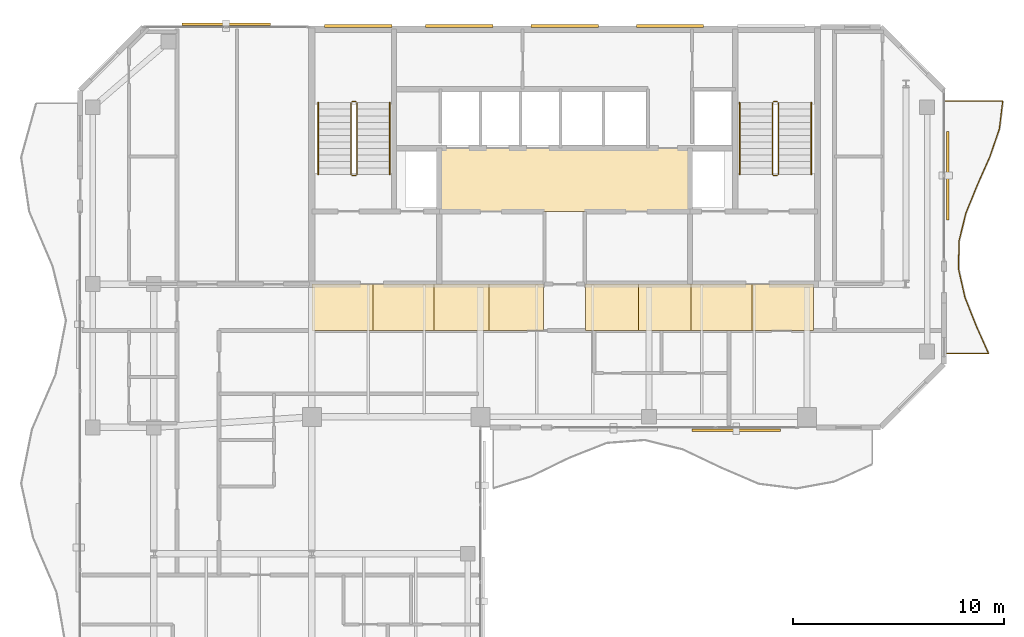
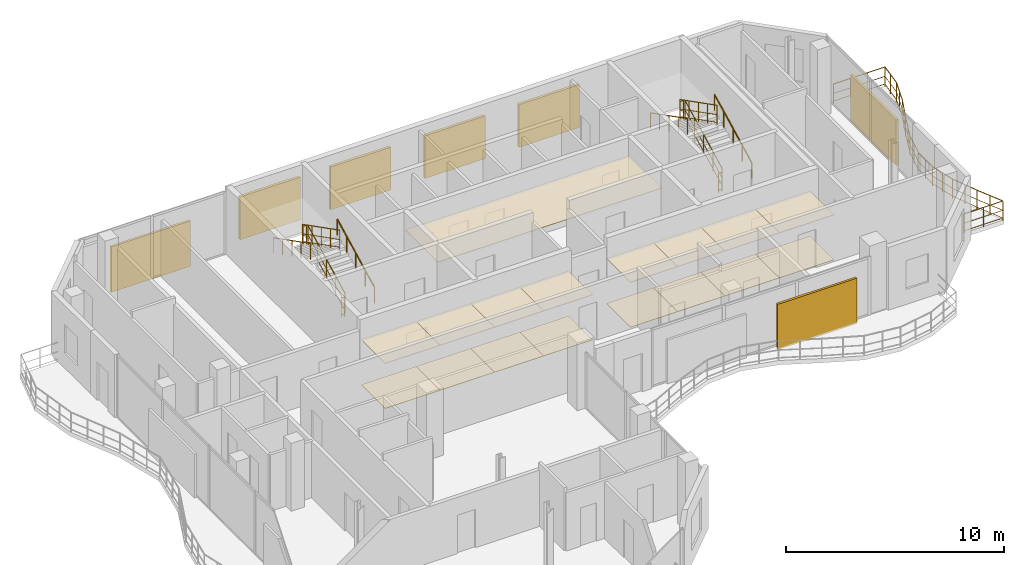
# One storey, part 22 of 23: 17 coverings, 13 railings, 7 shading devices.
"""IFC4 building model written with IfcOpenShell, lengths in metres."""

from ifc_helpers import new_model, si_unit, direction, frame, origin, origin_2d, place, context, subcontext, project, spatial, polyline, rectangle, circle, outline, extrude, material, layer, layer_set, type_object, element, save


model = new_model("IFC4")

# Units and contexts
model_context = context("Model", 3, precision=1e-05, world=origin(), true_north=direction((0.0, 1.0)))
body_context = subcontext(model_context, "Body", "Model", "MODEL_VIEW")
ifc_project = project(units=[si_unit("LENGTHUNIT", "METRE"), si_unit("AREAUNIT", "SQUARE_METRE"), si_unit("VOLUMEUNIT", "CUBIC_METRE"), si_unit("PLANEANGLEUNIT", "RADIAN"), si_unit("MASSUNIT", "GRAM", prefix="KILO")], contexts=[model_context])

# Site, building, storey
site_placement = place(None, origin())
site = spatial("IfcSite", under=ifc_project, at=site_placement, CompositionType="ELEMENT")
building_placement = place(site_placement, origin())
building = spatial("IfcBuilding", under=site, at=building_placement, Name="Catumbela Crestline Tower", CompositionType="ELEMENT")
storey_placement = place(building_placement, frame((0.0, 0.0, 248.8)))
storey = spatial("IfcBuildingStorey", under=building, at=storey_placement, Name="L64", CompositionType="ELEMENT", Elevation=248.8)

# Coverings
ifc_material_1 = material(Name="Mineral-fibre acoustic ceiling")
ifc_layer_1 = layer(ifc_material_1, 0.03, Name="Mineral-fibre acoustic ceiling")
ifc_layer_set_1 = layer_set([ifc_layer_1], Name="Mineral-fibre acoustic ceiling")
covering_type_1 = type_object("IfcCoveringType", Name="CC-AC", PredefinedType="CEILING", material=ifc_layer_set_1)
covering_1_placement = place(storey_placement, frame((0.0, 0.0, 2.65)))
element("IfcCovering", 1, at=covering_1_placement, inside=storey, type_object=covering_type_1, Name="L64 Lift Lobby Acoustic Ceiling", PredefinedType="CEILING", context=body_context, shape_type="SweptSolid", body=[
    extrude(outline(polyline([(22.05, 34.25), (33.95, 34.25), (33.95, 37.25), (22.05, 37.25), (22.05, 34.25)])), origin(), (0.0, 0.0, 1.0), 0.03),
])
covering_2_placement = place(storey_placement, frame((0.0, 0.0, 2.52)))
element("IfcCovering", 2, at=covering_2_placement, inside=storey, type_object=covering_type_1, Name="L64 Corridor Acoustic Ceiling Bay 1", PredefinedType="CEILING", context=body_context, shape_type="SweptSolid", body=[
    extrude(outline(polyline([(16.0, 28.6), (18.9, 28.6), (18.9, 30.8), (16.0, 30.8), (16.0, 28.6)])), origin(), (0.0, 0.0, 1.0), 0.03),
])
covering_3_placement = place(storey_placement, frame((0.0, 0.0, 2.52)))
element("IfcCovering", 3, at=covering_3_placement, inside=storey, type_object=covering_type_1, Name="L64 Corridor Acoustic Ceiling Bay 2", PredefinedType="CEILING", context=body_context, shape_type="SweptSolid", body=[
    extrude(outline(polyline([(18.9, 28.6), (21.8, 28.6), (21.8, 30.8), (18.9, 30.8), (18.9, 28.6)])), origin(), (0.0, 0.0, 1.0), 0.03),
])
covering_4_placement = place(storey_placement, frame((0.0, 0.0, 2.52)))
element("IfcCovering", 4, at=covering_4_placement, inside=storey, type_object=covering_type_1, Name="L64 Corridor Acoustic Ceiling Bay 3", PredefinedType="CEILING", context=body_context, shape_type="SweptSolid", body=[
    extrude(outline(polyline([(21.8, 28.6), (24.4, 28.6), (24.4, 30.8), (21.8, 30.8), (21.8, 28.6)])), origin(), (0.0, 0.0, 1.0), 0.03),
])
covering_5_placement = place(storey_placement, frame((0.0, 0.0, 2.52)))
element("IfcCovering", 5, at=covering_5_placement, inside=storey, type_object=covering_type_1, Name="L64 Corridor Acoustic Ceiling Bay 4", PredefinedType="CEILING", context=body_context, shape_type="SweptSolid", body=[
    extrude(outline(polyline([(24.4, 28.6), (27.0, 28.6), (27.0, 30.8), (24.4, 30.8), (24.4, 28.6)])), origin(), (0.0, 0.0, 1.0), 0.03),
])
covering_6_placement = place(storey_placement, frame((0.0, 0.0, 2.52)))
element("IfcCovering", 6, at=covering_6_placement, inside=storey, type_object=covering_type_1, Name="L64 Corridor Acoustic Ceiling Bay 5", PredefinedType="CEILING", context=body_context, shape_type="SweptSolid", body=[
    extrude(outline(polyline([(29.0, 28.6), (31.5, 28.6), (31.5, 30.8), (29.0, 30.8), (29.0, 28.6)])), origin(), (0.0, 0.0, 1.0), 0.03),
])
covering_7_placement = place(storey_placement, frame((0.0, 0.0, 2.52)))
element("IfcCovering", 7, at=covering_7_placement, inside=storey, type_object=covering_type_1, Name="L64 Corridor Acoustic Ceiling Bay 6", PredefinedType="CEILING", context=body_context, shape_type="SweptSolid", body=[
    extrude(outline(polyline([(31.5, 28.6), (34.0, 28.6), (34.0, 30.8), (31.5, 30.8), (31.5, 28.6)])), origin(), (0.0, 0.0, 1.0), 0.03),
])
covering_8_placement = place(storey_placement, frame((0.0, 0.0, 2.52)))
element("IfcCovering", 8, at=covering_8_placement, inside=storey, type_object=covering_type_1, Name="L64 Corridor Acoustic Ceiling Bay 7", PredefinedType="CEILING", context=body_context, shape_type="SweptSolid", body=[
    extrude(outline(polyline([(34.0, 28.6), (36.9, 28.6), (36.9, 30.8), (34.0, 30.8), (34.0, 28.6)])), origin(), (0.0, 0.0, 1.0), 0.03),
])
covering_9_placement = place(storey_placement, frame((0.0, 0.0, 2.52)))
element("IfcCovering", 9, at=covering_9_placement, inside=storey, type_object=covering_type_1, Name="L64 Corridor Acoustic Ceiling Bay 8", PredefinedType="CEILING", context=body_context, shape_type="SweptSolid", body=[
    extrude(outline(polyline([(36.9, 28.6), (39.8, 28.6), (39.8, 30.8), (36.9, 30.8), (36.9, 28.6)])), origin(), (0.0, 0.0, 1.0), 0.03),
])
ifc_material_2 = material(Name="Angolan grey-ochre granite", Category="masonry")
ifc_layer_2 = layer(ifc_material_2, 0.025, Name="Angolan grey-ochre granite")
ifc_layer_set_2 = layer_set([ifc_layer_2], Name="Angolan grey-ochre granite")
covering_type_2 = type_object("IfcCoveringType", Name="CF-GR", PredefinedType="FLOORING", material=ifc_layer_set_2)
covering_10_placement = place(storey_placement, origin())
element("IfcCovering", 10, at=covering_10_placement, inside=storey, type_object=covering_type_2, Name="L64 Corridor Granite Flooring Bay 1", PredefinedType="FLOORING", context=body_context, shape_type="SweptSolid", body=[
    extrude(outline(polyline([(16.0, 28.6), (18.9, 28.6), (18.9, 30.8), (16.0, 30.8), (16.0, 28.6)])), origin(), (0.0, 0.0, 1.0), 0.025),
])
covering_11_placement = place(storey_placement, origin())
element("IfcCovering", 11, at=covering_11_placement, inside=storey, type_object=covering_type_2, Name="L64 Corridor Granite Flooring Bay 2", PredefinedType="FLOORING", context=body_context, shape_type="SweptSolid", body=[
    extrude(outline(polyline([(18.9, 28.6), (21.8, 28.6), (21.8, 30.8), (18.9, 30.8), (18.9, 28.6)])), origin(), (0.0, 0.0, 1.0), 0.025),
])
covering_12_placement = place(storey_placement, origin())
element("IfcCovering", 12, at=covering_12_placement, inside=storey, type_object=covering_type_2, Name="L64 Corridor Granite Flooring Bay 3", PredefinedType="FLOORING", context=body_context, shape_type="SweptSolid", body=[
    extrude(outline(polyline([(21.8, 28.6), (24.4, 28.6), (24.4, 30.8), (21.8, 30.8), (21.8, 28.6)])), origin(), (0.0, 0.0, 1.0), 0.025),
])
covering_13_placement = place(storey_placement, origin())
element("IfcCovering", 13, at=covering_13_placement, inside=storey, type_object=covering_type_2, Name="L64 Corridor Granite Flooring Bay 4", PredefinedType="FLOORING", context=body_context, shape_type="SweptSolid", body=[
    extrude(outline(polyline([(24.4, 28.6), (27.0, 28.6), (27.0, 30.8), (24.4, 30.8), (24.4, 28.6)])), origin(), (0.0, 0.0, 1.0), 0.025),
])
covering_14_placement = place(storey_placement, origin())
element("IfcCovering", 14, at=covering_14_placement, inside=storey, type_object=covering_type_2, Name="L64 Corridor Granite Flooring Bay 5", PredefinedType="FLOORING", context=body_context, shape_type="SweptSolid", body=[
    extrude(outline(polyline([(29.0, 28.6), (31.5, 28.6), (31.5, 30.8), (29.0, 30.8), (29.0, 28.6)])), origin(), (0.0, 0.0, 1.0), 0.025),
])
covering_15_placement = place(storey_placement, origin())
element("IfcCovering", 15, at=covering_15_placement, inside=storey, type_object=covering_type_2, Name="L64 Corridor Granite Flooring Bay 6", PredefinedType="FLOORING", context=body_context, shape_type="SweptSolid", body=[
    extrude(outline(polyline([(31.5, 28.6), (34.0, 28.6), (34.0, 30.8), (31.5, 30.8), (31.5, 28.6)])), origin(), (0.0, 0.0, 1.0), 0.025),
])
covering_16_placement = place(storey_placement, origin())
element("IfcCovering", 16, at=covering_16_placement, inside=storey, type_object=covering_type_2, Name="L64 Corridor Granite Flooring Bay 7", PredefinedType="FLOORING", context=body_context, shape_type="SweptSolid", body=[
    extrude(outline(polyline([(34.0, 28.6), (36.9, 28.6), (36.9, 30.8), (34.0, 30.8), (34.0, 28.6)])), origin(), (0.0, 0.0, 1.0), 0.025),
])
covering_17_placement = place(storey_placement, origin())
element("IfcCovering", 17, at=covering_17_placement, inside=storey, type_object=covering_type_2, Name="L64 Corridor Granite Flooring Bay 8", PredefinedType="FLOORING", context=body_context, shape_type="SweptSolid", body=[
    extrude(outline(polyline([(36.9, 28.6), (39.8, 28.6), (39.8, 30.8), (36.9, 30.8), (36.9, 28.6)])), origin(), (0.0, 0.0, 1.0), 0.025),
])

# Railings
ifc_material_3 = material(Name="Stainless steel EN 1.4401", Category="steel")
railing_type_1 = type_object("IfcRailingType", Name="RB-1100", PredefinedType="BALUSTRADE", material=ifc_material_3)
railing_1_placement = place(storey_placement, frame((46.06, 27.5, 0.0)))
element("IfcRailing", 18, at=railing_1_placement, inside=storey, type_object=railing_type_1, Name="L64 Private Wave Balcony Balustrade 2", PredefinedType="BALUSTRADE", context=body_context, shape_type="SweptSolid", body=[
    extrude(circle(Radius=0.024, at=origin_2d()), frame((0.0, 0.0, 1.076), z_axis=(1.0, 0.0, 0.0), x_axis=(0.0, 1.0, 0.0)), (0.0, 0.0, 1.0), 2.0571),
    extrude(circle(Radius=0.0156, at=origin_2d()), frame((0.0, 0.0, 0.55), z_axis=(1.0, 0.0, 0.0), x_axis=(0.0, 1.0, 0.0)), (0.0, 0.0, 1.0), 2.0571),
    extrude(circle(Radius=0.0156, at=origin_2d()), frame((0.0, 0.0, 0.12), z_axis=(1.0, 0.0, 0.0), x_axis=(0.0, 1.0, 0.0)), (0.0, 0.0, 1.0), 2.0571),
    extrude(circle(Radius=0.024, at=origin_2d()), frame((2.0571, 0.0, 1.076), z_axis=(-0.406723258756, 0.913551416608, 0.0), x_axis=(-0.913551416608, -0.406723258756, 0.0)), (0.0, 0.0, 1.0), 1.4595),
    extrude(circle(Radius=0.0156, at=origin_2d()), frame((2.0571, 0.0, 0.55), z_axis=(-0.406723258756, 0.913551416608, 0.0), x_axis=(-0.913551416608, -0.406723258756, 0.0)), (0.0, 0.0, 1.0), 1.4595),
    extrude(circle(Radius=0.0156, at=origin_2d()), frame((2.0571, 0.0, 0.12), z_axis=(-0.406723258756, 0.913551416608, 0.0), x_axis=(-0.913551416608, -0.406723258756, 0.0)), (0.0, 0.0, 1.0), 1.4595),
    extrude(circle(Radius=0.024, at=origin_2d()), frame((1.4635, 1.3333, 1.076), z_axis=(-0.368045939081, 0.929807607372, 0.0), x_axis=(-0.929807607372, -0.368045939081, 0.0)), (0.0, 0.0, 1.0), 1.4341),
    extrude(circle(Radius=0.0156, at=origin_2d()), frame((1.4635, 1.3333, 0.55), z_axis=(-0.368045939081, 0.929807607372, 0.0), x_axis=(-0.929807607372, -0.368045939081, 0.0)), (0.0, 0.0, 1.0), 1.4341),
    extrude(circle(Radius=0.0156, at=origin_2d()), frame((1.4635, 1.3333, 0.12), z_axis=(-0.368045939081, 0.929807607372, 0.0), x_axis=(-0.929807607372, -0.368045939081, 0.0)), (0.0, 0.0, 1.0), 1.4341),
    extrude(circle(Radius=0.024, at=origin_2d()), frame((0.9357, 2.6667, 1.076), z_axis=(-0.220631331577, 0.975357275836, 0.0), x_axis=(-0.975357275836, -0.220631331577, 0.0)), (0.0, 0.0, 1.0), 1.367),
    extrude(circle(Radius=0.0156, at=origin_2d()), frame((0.9357, 2.6667, 0.55), z_axis=(-0.220631331577, 0.975357275836, 0.0), x_axis=(-0.975357275836, -0.220631331577, 0.0)), (0.0, 0.0, 1.0), 1.367),
    extrude(circle(Radius=0.0156, at=origin_2d()), frame((0.9357, 2.6667, 0.12), z_axis=(-0.220631331577, 0.975357275836, 0.0), x_axis=(-0.975357275836, -0.220631331577, 0.0)), (0.0, 0.0, 1.0), 1.367),
    extrude(circle(Radius=0.024, at=origin_2d()), frame((0.6341, 4.0, 1.076), z_axis=(0.01222439215, 0.999925279327, 0.0), x_axis=(-0.999925279327, 0.01222439215, 0.0)), (0.0, 0.0, 1.0), 1.3334),
    extrude(circle(Radius=0.0156, at=origin_2d()), frame((0.6341, 4.0, 0.55), z_axis=(0.01222439215, 0.999925279327, 0.0), x_axis=(-0.999925279327, 0.01222439215, 0.0)), (0.0, 0.0, 1.0), 1.3334),
    extrude(circle(Radius=0.0156, at=origin_2d()), frame((0.6341, 4.0, 0.12), z_axis=(0.01222439215, 0.999925279327, 0.0), x_axis=(-0.999925279327, 0.01222439215, 0.0)), (0.0, 0.0, 1.0), 1.3334),
    extrude(circle(Radius=0.024, at=origin_2d()), frame((0.6504, 5.3333, 1.076), z_axis=(0.239622079001, 0.970866241691, 0.0), x_axis=(-0.970866241691, 0.239622079001, 0.0)), (0.0, 0.0, 1.0), 1.3734),
    extrude(circle(Radius=0.0156, at=origin_2d()), frame((0.6504, 5.3333, 0.55), z_axis=(0.239622079001, 0.970866241691, 0.0), x_axis=(-0.970866241691, 0.239622079001, 0.0)), (0.0, 0.0, 1.0), 1.3734),
    extrude(circle(Radius=0.0156, at=origin_2d()), frame((0.6504, 5.3333, 0.12), z_axis=(0.239622079001, 0.970866241691, 0.0), x_axis=(-0.970866241691, 0.239622079001, 0.0)), (0.0, 0.0, 1.0), 1.3734),
    extrude(circle(Radius=0.024, at=origin_2d()), frame((0.9795, 6.6667, 1.076), z_axis=(0.376643531056, 0.926358273301, 0.0), x_axis=(-0.926358273301, 0.376643531056, 0.0)), (0.0, 0.0, 1.0), 1.4393),
    extrude(circle(Radius=0.0156, at=origin_2d()), frame((0.9795, 6.6667, 0.55), z_axis=(0.376643531056, 0.926358273301, 0.0), x_axis=(-0.926358273301, 0.376643531056, 0.0)), (0.0, 0.0, 1.0), 1.4393),
    extrude(circle(Radius=0.0156, at=origin_2d()), frame((0.9795, 6.6667, 0.12), z_axis=(0.376643531056, 0.926358273301, 0.0), x_axis=(-0.926358273301, 0.376643531056, 0.0)), (0.0, 0.0, 1.0), 1.4393),
    extrude(circle(Radius=0.024, at=origin_2d()), frame((1.5216, 8.0, 1.076), z_axis=(0.40477625573, 0.914415760361, 0.0), x_axis=(-0.914415760361, 0.40477625573, 0.0)), (0.0, 0.0, 1.0), 1.4581),
    extrude(circle(Radius=0.0156, at=origin_2d()), frame((1.5216, 8.0, 0.55), z_axis=(0.40477625573, 0.914415760361, 0.0), x_axis=(-0.914415760361, 0.40477625573, 0.0)), (0.0, 0.0, 1.0), 1.4581),
    extrude(circle(Radius=0.0156, at=origin_2d()), frame((1.5216, 8.0, 0.12), z_axis=(0.40477625573, 0.914415760361, 0.0), x_axis=(-0.914415760361, 0.40477625573, 0.0)), (0.0, 0.0, 1.0), 1.4581),
    extrude(circle(Radius=0.024, at=origin_2d()), frame((2.1118, 9.3333, 1.076), z_axis=(0.325487995559, 0.945546172721, 0.0), x_axis=(-0.945546172721, 0.325487995559, 0.0)), (0.0, 0.0, 1.0), 1.4102),
    extrude(circle(Radius=0.0156, at=origin_2d()), frame((2.1118, 9.3333, 0.55), z_axis=(0.325487995559, 0.945546172721, 0.0), x_axis=(-0.945546172721, 0.325487995559, 0.0)), (0.0, 0.0, 1.0), 1.4102),
    extrude(circle(Radius=0.0156, at=origin_2d()), frame((2.1118, 9.3333, 0.12), z_axis=(0.325487995559, 0.945546172721, 0.0), x_axis=(-0.945546172721, 0.325487995559, 0.0)), (0.0, 0.0, 1.0), 1.4102),
    extrude(circle(Radius=0.024, at=origin_2d()), frame((2.5708, 10.6667, 1.076), z_axis=(0.118560811125, 0.992946793169, 0.0), x_axis=(-0.992946793169, 0.118560811125, 0.0)), (0.0, 0.0, 1.0), 1.3428),
    extrude(circle(Radius=0.0156, at=origin_2d()), frame((2.5708, 10.6667, 0.55), z_axis=(0.118560811125, 0.992946793169, 0.0), x_axis=(-0.992946793169, 0.118560811125, 0.0)), (0.0, 0.0, 1.0), 1.3428),
    extrude(circle(Radius=0.0156, at=origin_2d()), frame((2.5708, 10.6667, 0.12), z_axis=(0.118560811125, 0.992946793169, 0.0), x_axis=(-0.992946793169, 0.118560811125, 0.0)), (0.0, 0.0, 1.0), 1.3428),
    extrude(circle(Radius=0.024, at=origin_2d()), frame((2.73, 12.0, 1.076), z_axis=(-1.0, 0.0, 0.0), x_axis=(0.0, -1.0, 0.0)), (0.0, 0.0, 1.0), 2.73),
    extrude(circle(Radius=0.0156, at=origin_2d()), frame((2.73, 12.0, 0.55), z_axis=(-1.0, 0.0, 0.0), x_axis=(0.0, -1.0, 0.0)), (0.0, 0.0, 1.0), 2.73),
    extrude(circle(Radius=0.0156, at=origin_2d()), frame((2.73, 12.0, 0.12), z_axis=(-1.0, 0.0, 0.0), x_axis=(0.0, -1.0, 0.0)), (0.0, 0.0, 1.0), 2.73),
    extrude(circle(Radius=0.021, at=origin_2d()), origin(), (0.0, 0.0, 1.0), 1.052),
    extrude(circle(Radius=0.021, at=origin_2d()), frame((1.0285, 0.0, 0.0)), (0.0, 0.0, 1.0), 1.052),
    extrude(circle(Radius=0.021, at=origin_2d()), frame((2.0571, 0.0, 0.0)), (0.0, 0.0, 1.0), 1.052),
    extrude(circle(Radius=0.021, at=origin_2d()), frame((1.7603, 0.6667, 0.0)), (0.0, 0.0, 1.0), 1.052),
    extrude(circle(Radius=0.021, at=origin_2d()), frame((1.4635, 1.3333, 0.0)), (0.0, 0.0, 1.0), 1.052),
    extrude(circle(Radius=0.021, at=origin_2d()), frame((1.1996, 2.0, 0.0)), (0.0, 0.0, 1.0), 1.052),
    extrude(circle(Radius=0.021, at=origin_2d()), frame((0.9357, 2.6667, 0.0)), (0.0, 0.0, 1.0), 1.052),
    extrude(circle(Radius=0.021, at=origin_2d()), frame((0.7849, 3.3333, 0.0)), (0.0, 0.0, 1.0), 1.052),
    extrude(circle(Radius=0.021, at=origin_2d()), frame((0.6341, 4.0, 0.0)), (0.0, 0.0, 1.0), 1.052),
    extrude(circle(Radius=0.021, at=origin_2d()), frame((0.6422, 4.6667, 0.0)), (0.0, 0.0, 1.0), 1.052),
    extrude(circle(Radius=0.021, at=origin_2d()), frame((0.6504, 5.3333, 0.0)), (0.0, 0.0, 1.0), 1.052),
    extrude(circle(Radius=0.021, at=origin_2d()), frame((0.8149, 6.0, 0.0)), (0.0, 0.0, 1.0), 1.052),
    extrude(circle(Radius=0.021, at=origin_2d()), frame((0.9795, 6.6667, 0.0)), (0.0, 0.0, 1.0), 1.052),
    extrude(circle(Radius=0.021, at=origin_2d()), frame((1.2505, 7.3334, 0.0)), (0.0, 0.0, 1.0), 1.052),
    extrude(circle(Radius=0.021, at=origin_2d()), frame((1.5216, 8.0, 0.0)), (0.0, 0.0, 1.0), 1.052),
    extrude(circle(Radius=0.021, at=origin_2d()), frame((1.8167, 8.6666, 0.0)), (0.0, 0.0, 1.0), 1.052),
    extrude(circle(Radius=0.021, at=origin_2d()), frame((2.1118, 9.3333, 0.0)), (0.0, 0.0, 1.0), 1.052),
    extrude(circle(Radius=0.021, at=origin_2d()), frame((2.3413, 10.0, 0.0)), (0.0, 0.0, 1.0), 1.052),
    extrude(circle(Radius=0.021, at=origin_2d()), frame((2.5708, 10.6667, 0.0)), (0.0, 0.0, 1.0), 1.052),
    extrude(circle(Radius=0.021, at=origin_2d()), frame((2.6504, 11.3334, 0.0)), (0.0, 0.0, 1.0), 1.052),
    extrude(circle(Radius=0.021, at=origin_2d()), frame((2.73, 12.0, 0.0)), (0.0, 0.0, 1.0), 1.052),
    extrude(circle(Radius=0.021, at=origin_2d()), frame((1.82, 12.0, 0.0)), (0.0, 0.0, 1.0), 1.052),
    extrude(circle(Radius=0.021, at=origin_2d()), frame((0.91, 12.0, 0.0)), (0.0, 0.0, 1.0), 1.052),
    extrude(circle(Radius=0.021, at=origin_2d()), frame((0.0, 12.0, 0.0)), (0.0, 0.0, 1.0), 1.052),
])
railing_type_2 = type_object("IfcRailingType", Name="RG-1100", PredefinedType="GUARDRAIL", material=ifc_material_3)
railing_2_placement = place(storey_placement, frame((18.14, 36.0, 0.1583)))
element("IfcRailing", 19, at=railing_2_placement, inside=storey, type_object=railing_type_2, Name="L64 ST-01 stair guard 1", PredefinedType="GUARDRAIL", context=body_context, shape_type="SweptSolid", body=[
    extrude(circle(Radius=0.024, at=origin_2d()), frame((0.0, 0.0, 1.076), z_axis=(0.0, 0.890560473983, 0.454864861447), x_axis=(-1.0, 0.0, 0.0)), (0.0, 0.0, 1.0), 3.829),
    extrude(circle(Radius=0.0156, at=origin_2d()), frame((0.0, 0.0, 0.55), z_axis=(0.0, 0.890560473983, 0.454864861447), x_axis=(-1.0, 0.0, 0.0)), (0.0, 0.0, 1.0), 3.829),
    extrude(circle(Radius=0.0156, at=origin_2d()), frame((0.0, 0.0, 0.12), z_axis=(0.0, 0.890560473983, 0.454864861447), x_axis=(-1.0, 0.0, 0.0)), (0.0, 0.0, 1.0), 3.829),
    extrude(circle(Radius=0.021, at=origin_2d()), origin(), (0.0, 0.0, 1.0), 1.052),
    extrude(circle(Radius=0.021, at=origin_2d()), frame((0.0, 0.8525, 0.4354)), (0.0, 0.0, 1.0), 1.052),
    extrude(circle(Radius=0.021, at=origin_2d()), frame((0.0, 1.705, 0.8708)), (0.0, 0.0, 1.0), 1.052),
    extrude(circle(Radius=0.021, at=origin_2d()), frame((0.0, 2.5575, 1.3063)), (0.0, 0.0, 1.0), 1.052),
    extrude(circle(Radius=0.021, at=origin_2d()), frame((0.0, 3.41, 1.7417)), (0.0, 0.0, 1.0), 1.052),
])
railing_3_placement = place(storey_placement, frame((18.09, 39.46, 1.9)))
element("IfcRailing", 20, at=railing_3_placement, inside=storey, type_object=railing_type_2, Name="L64 ST-01 stair guard 2", PredefinedType="GUARDRAIL", context=body_context, shape_type="SweptSolid", body=[
    extrude(circle(Radius=0.024, at=origin_2d()), frame((0.0, 0.0, 1.076), z_axis=(-1.0, 0.0, 0.0), x_axis=(0.0, -1.0, 0.0)), (0.0, 0.0, 1.0), 0.18),
    extrude(circle(Radius=0.0156, at=origin_2d()), frame((0.0, 0.0, 0.55), z_axis=(-1.0, 0.0, 0.0), x_axis=(0.0, -1.0, 0.0)), (0.0, 0.0, 1.0), 0.18),
    extrude(circle(Radius=0.0156, at=origin_2d()), frame((0.0, 0.0, 0.12), z_axis=(-1.0, 0.0, 0.0), x_axis=(0.0, -1.0, 0.0)), (0.0, 0.0, 1.0), 0.18),
    extrude(circle(Radius=0.021, at=origin_2d()), origin(), (0.0, 0.0, 1.0), 1.052),
    extrude(circle(Radius=0.021, at=origin_2d()), frame((-0.18, 0.0, 0.0)), (0.0, 0.0, 1.0), 1.052),
])
railing_4_placement = place(storey_placement, frame((17.86, 39.41, 2.0583)))
element("IfcRailing", 21, at=railing_4_placement, inside=storey, type_object=railing_type_2, Name="L64 ST-01 stair guard 3", PredefinedType="GUARDRAIL", context=body_context, shape_type="SweptSolid", body=[
    extrude(circle(Radius=0.024, at=origin_2d()), frame((0.0, 0.0, 1.076), z_axis=(0.0, -0.890560473983, 0.454864861447), x_axis=(1.0, 0.0, 0.0)), (0.0, 0.0, 1.0), 3.829),
    extrude(circle(Radius=0.0156, at=origin_2d()), frame((0.0, 0.0, 0.55), z_axis=(0.0, -0.890560473983, 0.454864861447), x_axis=(1.0, 0.0, 0.0)), (0.0, 0.0, 1.0), 3.829),
    extrude(circle(Radius=0.0156, at=origin_2d()), frame((0.0, 0.0, 0.12), z_axis=(0.0, -0.890560473983, 0.454864861447), x_axis=(1.0, 0.0, 0.0)), (0.0, 0.0, 1.0), 3.829),
    extrude(circle(Radius=0.021, at=origin_2d()), origin(), (0.0, 0.0, 1.0), 1.052),
    extrude(circle(Radius=0.021, at=origin_2d()), frame((0.0, -0.8525, 0.4354)), (0.0, 0.0, 1.0), 1.052),
    extrude(circle(Radius=0.021, at=origin_2d()), frame((0.0, -1.705, 0.8708)), (0.0, 0.0, 1.0), 1.052),
    extrude(circle(Radius=0.021, at=origin_2d()), frame((0.0, -2.5575, 1.3063)), (0.0, 0.0, 1.0), 1.052),
    extrude(circle(Radius=0.021, at=origin_2d()), frame((0.0, -3.41, 1.7417)), (0.0, 0.0, 1.0), 1.052),
])
railing_5_placement = place(storey_placement, frame((18.09, 35.95, 0.0)))
element("IfcRailing", 22, at=railing_5_placement, inside=storey, type_object=railing_type_2, Name="L64 ST-01 stair guard 4", PredefinedType="GUARDRAIL", context=body_context, shape_type="SweptSolid", body=[
    extrude(circle(Radius=0.024, at=origin_2d()), frame((0.0, 0.0, 1.076), z_axis=(-1.0, 0.0, 0.0), x_axis=(0.0, -1.0, 0.0)), (0.0, 0.0, 1.0), 0.18),
    extrude(circle(Radius=0.0156, at=origin_2d()), frame((0.0, 0.0, 0.55), z_axis=(-1.0, 0.0, 0.0), x_axis=(0.0, -1.0, 0.0)), (0.0, 0.0, 1.0), 0.18),
    extrude(circle(Radius=0.0156, at=origin_2d()), frame((0.0, 0.0, 0.12), z_axis=(-1.0, 0.0, 0.0), x_axis=(0.0, -1.0, 0.0)), (0.0, 0.0, 1.0), 0.18),
    extrude(circle(Radius=0.021, at=origin_2d()), origin(), (0.0, 0.0, 1.0), 1.052),
    extrude(circle(Radius=0.021, at=origin_2d()), frame((-0.18, 0.0, 0.0)), (0.0, 0.0, 1.0), 1.052),
])
railing_6_placement = place(storey_placement, frame((38.14, 36.0, 0.1583)))
element("IfcRailing", 23, at=railing_6_placement, inside=storey, type_object=railing_type_2, Name="L64 ST-02 stair guard 1", PredefinedType="GUARDRAIL", context=body_context, shape_type="SweptSolid", body=[
    extrude(circle(Radius=0.024, at=origin_2d()), frame((0.0, 0.0, 1.076), z_axis=(0.0, 0.890560473983, 0.454864861447), x_axis=(-1.0, 0.0, 0.0)), (0.0, 0.0, 1.0), 3.829),
    extrude(circle(Radius=0.0156, at=origin_2d()), frame((0.0, 0.0, 0.55), z_axis=(0.0, 0.890560473983, 0.454864861447), x_axis=(-1.0, 0.0, 0.0)), (0.0, 0.0, 1.0), 3.829),
    extrude(circle(Radius=0.0156, at=origin_2d()), frame((0.0, 0.0, 0.12), z_axis=(0.0, 0.890560473983, 0.454864861447), x_axis=(-1.0, 0.0, 0.0)), (0.0, 0.0, 1.0), 3.829),
    extrude(circle(Radius=0.021, at=origin_2d()), origin(), (0.0, 0.0, 1.0), 1.052),
    extrude(circle(Radius=0.021, at=origin_2d()), frame((0.0, 0.8525, 0.4354)), (0.0, 0.0, 1.0), 1.052),
    extrude(circle(Radius=0.021, at=origin_2d()), frame((0.0, 1.705, 0.8708)), (0.0, 0.0, 1.0), 1.052),
    extrude(circle(Radius=0.021, at=origin_2d()), frame((0.0, 2.5575, 1.3063)), (0.0, 0.0, 1.0), 1.052),
    extrude(circle(Radius=0.021, at=origin_2d()), frame((0.0, 3.41, 1.7417)), (0.0, 0.0, 1.0), 1.052),
])
railing_7_placement = place(storey_placement, frame((38.09, 39.46, 1.9)))
element("IfcRailing", 24, at=railing_7_placement, inside=storey, type_object=railing_type_2, Name="L64 ST-02 stair guard 2", PredefinedType="GUARDRAIL", context=body_context, shape_type="SweptSolid", body=[
    extrude(circle(Radius=0.024, at=origin_2d()), frame((0.0, 0.0, 1.076), z_axis=(-1.0, 0.0, 0.0), x_axis=(0.0, -1.0, 0.0)), (0.0, 0.0, 1.0), 0.18),
    extrude(circle(Radius=0.0156, at=origin_2d()), frame((0.0, 0.0, 0.55), z_axis=(-1.0, 0.0, 0.0), x_axis=(0.0, -1.0, 0.0)), (0.0, 0.0, 1.0), 0.18),
    extrude(circle(Radius=0.0156, at=origin_2d()), frame((0.0, 0.0, 0.12), z_axis=(-1.0, 0.0, 0.0), x_axis=(0.0, -1.0, 0.0)), (0.0, 0.0, 1.0), 0.18),
    extrude(circle(Radius=0.021, at=origin_2d()), origin(), (0.0, 0.0, 1.0), 1.052),
    extrude(circle(Radius=0.021, at=origin_2d()), frame((-0.18, 0.0, 0.0)), (0.0, 0.0, 1.0), 1.052),
])
railing_8_placement = place(storey_placement, frame((37.86, 39.41, 2.0583)))
element("IfcRailing", 25, at=railing_8_placement, inside=storey, type_object=railing_type_2, Name="L64 ST-02 stair guard 3", PredefinedType="GUARDRAIL", context=body_context, shape_type="SweptSolid", body=[
    extrude(circle(Radius=0.024, at=origin_2d()), frame((0.0, 0.0, 1.076), z_axis=(0.0, -0.890560473983, 0.454864861447), x_axis=(1.0, 0.0, 0.0)), (0.0, 0.0, 1.0), 3.829),
    extrude(circle(Radius=0.0156, at=origin_2d()), frame((0.0, 0.0, 0.55), z_axis=(0.0, -0.890560473983, 0.454864861447), x_axis=(1.0, 0.0, 0.0)), (0.0, 0.0, 1.0), 3.829),
    extrude(circle(Radius=0.0156, at=origin_2d()), frame((0.0, 0.0, 0.12), z_axis=(0.0, -0.890560473983, 0.454864861447), x_axis=(1.0, 0.0, 0.0)), (0.0, 0.0, 1.0), 3.829),
    extrude(circle(Radius=0.021, at=origin_2d()), origin(), (0.0, 0.0, 1.0), 1.052),
    extrude(circle(Radius=0.021, at=origin_2d()), frame((0.0, -0.8525, 0.4354)), (0.0, 0.0, 1.0), 1.052),
    extrude(circle(Radius=0.021, at=origin_2d()), frame((0.0, -1.705, 0.8708)), (0.0, 0.0, 1.0), 1.052),
    extrude(circle(Radius=0.021, at=origin_2d()), frame((0.0, -2.5575, 1.3063)), (0.0, 0.0, 1.0), 1.052),
    extrude(circle(Radius=0.021, at=origin_2d()), frame((0.0, -3.41, 1.7417)), (0.0, 0.0, 1.0), 1.052),
])
railing_9_placement = place(storey_placement, frame((38.09, 35.95, 0.0)))
element("IfcRailing", 26, at=railing_9_placement, inside=storey, type_object=railing_type_2, Name="L64 ST-02 stair guard 4", PredefinedType="GUARDRAIL", context=body_context, shape_type="SweptSolid", body=[
    extrude(circle(Radius=0.024, at=origin_2d()), frame((0.0, 0.0, 1.076), z_axis=(-1.0, 0.0, 0.0), x_axis=(0.0, -1.0, 0.0)), (0.0, 0.0, 1.0), 0.18),
    extrude(circle(Radius=0.0156, at=origin_2d()), frame((0.0, 0.0, 0.55), z_axis=(-1.0, 0.0, 0.0), x_axis=(0.0, -1.0, 0.0)), (0.0, 0.0, 1.0), 0.18),
    extrude(circle(Radius=0.0156, at=origin_2d()), frame((0.0, 0.0, 0.12), z_axis=(-1.0, 0.0, 0.0), x_axis=(0.0, -1.0, 0.0)), (0.0, 0.0, 1.0), 0.18),
    extrude(circle(Radius=0.021, at=origin_2d()), origin(), (0.0, 0.0, 1.0), 1.052),
    extrude(circle(Radius=0.021, at=origin_2d()), frame((-0.18, 0.0, 0.0)), (0.0, 0.0, 1.0), 1.052),
])
railing_type_3 = type_object("IfcRailingType", Name="RH-0900", PredefinedType="HANDRAIL", material=ifc_material_3)
railing_10_placement = place(storey_placement, frame((19.7, 36.0, 0.1583)))
element("IfcRailing", 27, at=railing_10_placement, inside=storey, type_object=railing_type_3, Name="L64 ST-01 stair handrail 1", PredefinedType="HANDRAIL", context=body_context, shape_type="SweptSolid", body=[
    extrude(circle(Radius=0.024, at=origin_2d()), frame((0.0, 0.0, 0.876), z_axis=(0.0, 0.890560473983, 0.454864861447), x_axis=(-1.0, 0.0, 0.0)), (0.0, 0.0, 1.0), 3.829),
    extrude(circle(Radius=0.021, at=origin_2d()), origin(), (0.0, 0.0, 1.0), 0.852),
    extrude(circle(Radius=0.021, at=origin_2d()), frame((0.0, 0.8525, 0.4354)), (0.0, 0.0, 1.0), 0.852),
    extrude(circle(Radius=0.021, at=origin_2d()), frame((0.0, 1.705, 0.8708)), (0.0, 0.0, 1.0), 0.852),
    extrude(circle(Radius=0.021, at=origin_2d()), frame((0.0, 2.5575, 1.3063)), (0.0, 0.0, 1.0), 0.852),
    extrude(circle(Radius=0.021, at=origin_2d()), frame((0.0, 3.41, 1.7417)), (0.0, 0.0, 1.0), 0.852),
])
railing_11_placement = place(storey_placement, frame((16.3, 39.41, 2.0583)))
element("IfcRailing", 28, at=railing_11_placement, inside=storey, type_object=railing_type_3, Name="L64 ST-01 stair handrail 2", PredefinedType="HANDRAIL", context=body_context, shape_type="SweptSolid", body=[
    extrude(circle(Radius=0.024, at=origin_2d()), frame((0.0, 0.0, 0.876), z_axis=(0.0, -0.890560473983, 0.454864861447), x_axis=(1.0, 0.0, 0.0)), (0.0, 0.0, 1.0), 3.829),
    extrude(circle(Radius=0.021, at=origin_2d()), origin(), (0.0, 0.0, 1.0), 0.852),
    extrude(circle(Radius=0.021, at=origin_2d()), frame((0.0, -0.8525, 0.4354)), (0.0, 0.0, 1.0), 0.852),
    extrude(circle(Radius=0.021, at=origin_2d()), frame((0.0, -1.705, 0.8708)), (0.0, 0.0, 1.0), 0.852),
    extrude(circle(Radius=0.021, at=origin_2d()), frame((0.0, -2.5575, 1.3063)), (0.0, 0.0, 1.0), 0.852),
    extrude(circle(Radius=0.021, at=origin_2d()), frame((0.0, -3.41, 1.7417)), (0.0, 0.0, 1.0), 0.852),
])
railing_12_placement = place(storey_placement, frame((39.7, 36.0, 0.1583)))
element("IfcRailing", 29, at=railing_12_placement, inside=storey, type_object=railing_type_3, Name="L64 ST-02 stair handrail 1", PredefinedType="HANDRAIL", context=body_context, shape_type="SweptSolid", body=[
    extrude(circle(Radius=0.024, at=origin_2d()), frame((0.0, 0.0, 0.876), z_axis=(0.0, 0.890560473983, 0.454864861447), x_axis=(-1.0, 0.0, 0.0)), (0.0, 0.0, 1.0), 3.829),
    extrude(circle(Radius=0.021, at=origin_2d()), origin(), (0.0, 0.0, 1.0), 0.852),
    extrude(circle(Radius=0.021, at=origin_2d()), frame((0.0, 0.8525, 0.4354)), (0.0, 0.0, 1.0), 0.852),
    extrude(circle(Radius=0.021, at=origin_2d()), frame((0.0, 1.705, 0.8708)), (0.0, 0.0, 1.0), 0.852),
    extrude(circle(Radius=0.021, at=origin_2d()), frame((0.0, 2.5575, 1.3063)), (0.0, 0.0, 1.0), 0.852),
    extrude(circle(Radius=0.021, at=origin_2d()), frame((0.0, 3.41, 1.7417)), (0.0, 0.0, 1.0), 0.852),
])
railing_13_placement = place(storey_placement, frame((36.3, 39.41, 2.0583)))
element("IfcRailing", 30, at=railing_13_placement, inside=storey, type_object=railing_type_3, Name="L64 ST-02 stair handrail 2", PredefinedType="HANDRAIL", context=body_context, shape_type="SweptSolid", body=[
    extrude(circle(Radius=0.024, at=origin_2d()), frame((0.0, 0.0, 0.876), z_axis=(0.0, -0.890560473983, 0.454864861447), x_axis=(1.0, 0.0, 0.0)), (0.0, 0.0, 1.0), 3.829),
    extrude(circle(Radius=0.021, at=origin_2d()), origin(), (0.0, 0.0, 1.0), 0.852),
    extrude(circle(Radius=0.021, at=origin_2d()), frame((0.0, -0.8525, 0.4354)), (0.0, 0.0, 1.0), 0.852),
    extrude(circle(Radius=0.021, at=origin_2d()), frame((0.0, -1.705, 0.8708)), (0.0, 0.0, 1.0), 0.852),
    extrude(circle(Radius=0.021, at=origin_2d()), frame((0.0, -2.5575, 1.3063)), (0.0, 0.0, 1.0), 0.852),
    extrude(circle(Radius=0.021, at=origin_2d()), frame((0.0, -3.41, 1.7417)), (0.0, 0.0, 1.0), 0.852),
])

# Shading devices
ifc_material_4 = material(Name="Extruded terracotta ceramic", Category="masonry")
shading_device_type_1 = type_object("IfcShadingDeviceType", Name="ST-180", PredefinedType="USERDEFINED", material=ifc_material_4)
shading_device_1_placement = place(storey_placement, frame((28.0, 43.04, 0.55), z_axis=(0.0, 0.0, 1.0), x_axis=(1.0, 0.0, 0.0)))
element("IfcShadingDevice", 31, at=shading_device_1_placement, inside=storey, type_object=shading_device_type_1, Name="L64 Rear Core Terracotta Brise-Soleil Screen 770", ObjectType="SCREEN", PredefinedType="USERDEFINED", context=body_context, shape_type="SweptSolid", body=[
    extrude(rectangle(XDim=3.2, YDim=0.14, at=origin_2d()), origin(), (0.0, 0.0, 1.0), 2.4),
])
shading_device_type_2 = type_object("IfcShadingDeviceType", Name="ST-260", PredefinedType="USERDEFINED", material=ifc_material_4)
shading_device_2_placement = place(storey_placement, frame((23.0, 43.04, 0.55), z_axis=(0.0, 0.0, 1.0), x_axis=(1.0, 0.0, 0.0)))
element("IfcShadingDevice", 32, at=shading_device_2_placement, inside=storey, type_object=shading_device_type_2, Name="L64 Rear Core Terracotta Brise-Soleil Screen 769", ObjectType="SCREEN", PredefinedType="USERDEFINED", context=body_context, shape_type="SweptSolid", body=[
    extrude(rectangle(XDim=3.2, YDim=0.14, at=origin_2d()), origin(), (0.0, 0.0, 1.0), 2.4),
])
for number, where, z_axis, x_axis, name in (
    (33, (36.1375, 23.857, -0.1), (0.0, 0.0, 1.0), (1.0, 0.0, 0.0), "L64 Perforated Terracotta Solar Screen 777 (260 mm)"),
    (34, (11.93, 43.143, -0.1), (0.0, 0.0, 1.0), (-1.0, 0.0, 0.0), "L64 Perforated Terracotta Solar Screen 779 (260 mm)"),
):
    element("IfcShadingDevice", number, at=place(storey_placement, frame(where, z_axis=z_axis, x_axis=x_axis)), inside=storey, type_object=shading_device_type_2, Name=name, ObjectType="SCREEN", PredefinedType="USERDEFINED", context=body_context, shape_type="SweptSolid", body=[
        extrude(rectangle(XDim=4.2, YDim=0.12, at=origin_2d()), origin(), (0.0, 0.0, 1.0), 2.55),
    ])
shading_device_type_3 = type_object("IfcShadingDeviceType", Name="ST-340", PredefinedType="USERDEFINED", material=ifc_material_4)
for number, where, z_axis, x_axis, name in (
    (35, (18.2, 43.04, 0.55), (0.0, 0.0, 1.0), (1.0, 0.0, 0.0), "L64 Rear Core Terracotta Brise-Soleil Screen 768"),
    (36, (33.0, 43.04, 0.55), (0.0, 0.0, 1.0), (1.0, 0.0, 0.0), "L64 Rear Core Terracotta Brise-Soleil Screen 771"),
):
    element("IfcShadingDevice", number, at=place(storey_placement, frame(where, z_axis=z_axis, x_axis=x_axis)), inside=storey, type_object=shading_device_type_3, Name=name, ObjectType="SCREEN", PredefinedType="USERDEFINED", context=body_context, shape_type="SweptSolid", body=[
        extrude(rectangle(XDim=3.2, YDim=0.14, at=origin_2d()), origin(), (0.0, 0.0, 1.0), 2.4),
    ])
shading_device_3_placement = place(storey_placement, frame((46.187, 35.95, -0.1), z_axis=(0.0, 0.0, 1.0), x_axis=(0.0, 1.0, 0.0)))
element("IfcShadingDevice", 37, at=shading_device_3_placement, inside=storey, type_object=shading_device_type_3, Name="L64 Perforated Terracotta Solar Screen 778 (340 mm)", ObjectType="SCREEN", PredefinedType="USERDEFINED", context=body_context, shape_type="SweptSolid", body=[
    extrude(rectangle(XDim=4.2, YDim=0.12, at=origin_2d()), origin(), (0.0, 0.0, 1.0), 2.55),
])

save(model, "model.ifc")
